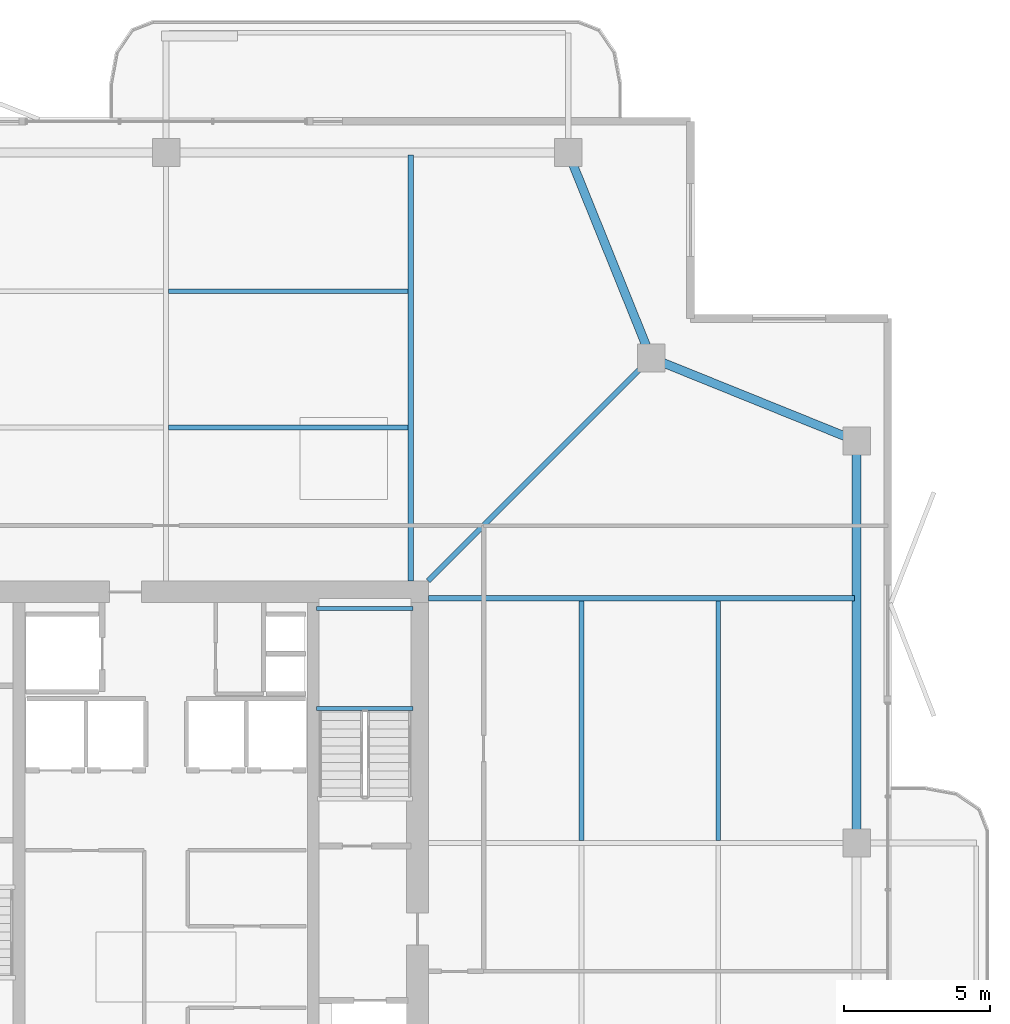
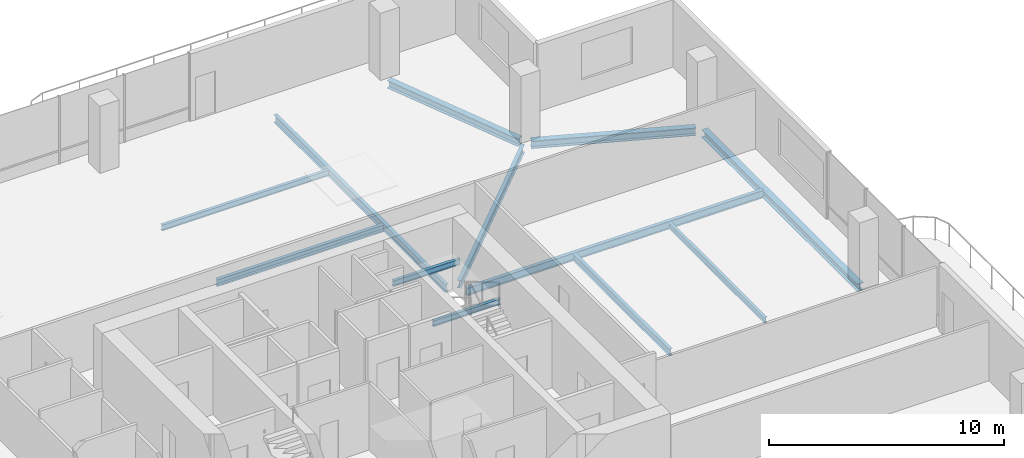
# One storey, part 14 of 23: 12 beams.
"""IFC4 building model written with IfcOpenShell, lengths in metres."""

from ifc_helpers import new_model, si_unit, direction, frame, origin, origin_2d, place, context, subcontext, project, spatial, i_section, extrude, material, material_profile, profile_set, type_object, element, save


model = new_model("IFC4")

# Units and contexts
model_context = context("Model", 3, precision=1e-05, world=origin(), true_north=direction((0.0, 1.0)))
body_context = subcontext(model_context, "Body", "Model", "MODEL_VIEW")
ifc_project = project(units=[si_unit("LENGTHUNIT", "METRE"), si_unit("AREAUNIT", "SQUARE_METRE"), si_unit("VOLUMEUNIT", "CUBIC_METRE"), si_unit("PLANEANGLEUNIT", "RADIAN"), si_unit("MASSUNIT", "GRAM", prefix="KILO")], contexts=[model_context])

# Site, building, storey
site_placement = place(None, origin())
site = spatial("IfcSite", under=ifc_project, at=site_placement, CompositionType="ELEMENT")
building_placement = place(site_placement, origin())
building = spatial("IfcBuilding", under=site, at=building_placement, Name="Belovzor Exchange Tower", CompositionType="ELEMENT")
storey_placement = place(building_placement, frame((0.0, 0.0, 276.60009765625)))
storey = spatial("IfcBuildingStorey", under=building, at=storey_placement, Name="L69", CompositionType="ELEMENT", Elevation=276.60009765625)

# Beams
ifc_material_1 = material(Name="Steel S355", Category="steel")
ifc_material_profile_1 = material_profile(ifc_material_1, i_section(OverallWidth=0.169921875, OverallDepth=0.360107421875, WebThickness=0.008056640625, FlangeThickness=0.0126953125, at=origin_2d()))
ifc_profile_set_1 = profile_set([ifc_material_profile_1], Name="Steel S355")
beam_type_1 = type_object("IfcBeamType", Name="Secondary Infill Floor Joist IPE 360", PredefinedType="BEAM", material=ifc_profile_set_1)
for number, where, z_axis, x_axis, name in (
    (1, (28.889892578125, 43.06494140625, -0.43017578125), (1.0, 0.0, 0.0), (0.0, 1.0, 0.0), "FJ-360 Secondary Infill Floor Joist IPE 360"),
    (2, (43.06494140625, 28.889892578125, -0.43017578125), (0.0, 1.0, 0.0), (-1.0, 0.0, 0.0), "FJ-360 Secondary Infill Floor Joist IPE 360"),
):
    element("IfcBeam", number, at=place(storey_placement, frame(where, z_axis=z_axis, x_axis=x_axis)), inside=storey, type_object=beam_type_1, Name=name, PredefinedType="BEAM", context=body_context, shape_type="SweptSolid", body=[
        extrude(i_section(OverallWidth=0.169921875, OverallDepth=0.360107421875, WebThickness=0.008056640625, FlangeThickness=0.0126953125, at=origin_2d()), origin(), (0.0, 0.0, 1.0), 8.22021484375),
    ])
ifc_material_2 = material(Name="Steel S355", Category="steel")
ifc_material_profile_2 = material_profile(ifc_material_2, i_section(OverallWidth=0.14990234375, OverallDepth=0.300048828125, WebThickness=0.007080078125, FlangeThickness=0.0107421875, at=origin_2d()))
ifc_profile_set_2 = profile_set([ifc_material_profile_2], Name="Steel S355")
beam_type_2 = type_object("IfcBeamType", Name="Secondary Trim Floor Joist IPE 300", PredefinedType="BEAM", material=ifc_profile_set_2)
for number, where, z_axis, x_axis, name in (
    (3, (37.280029296875, 33.419921875, 1.52490234375), (-1.0, 0.0, 0.0), (0.0, -1.0, 0.0), "FJ-300 Secondary Trim Floor Joist IPE 300"),
    (4, (37.280029296875, 36.85009765625, 1.52490234375), (-1.0, 0.0, 0.0), (0.0, -1.0, 0.0), "FJ-300 Secondary Trim Floor Joist IPE 300"),
):
    element("IfcBeam", number, at=place(storey_placement, frame(where, z_axis=z_axis, x_axis=x_axis)), inside=storey, type_object=beam_type_2, Name=name, PredefinedType="BEAM", context=body_context, shape_type="SweptSolid", body=[
        extrude(i_section(OverallWidth=0.14990234375, OverallDepth=0.300048828125, WebThickness=0.007080078125, FlangeThickness=0.0107421875, at=origin_2d()), origin(), (0.0, 0.0, 1.0), 3.31005859375),
    ])
for number, where, z_axis, x_axis, name in (
    (5, (28.889892578125, 47.7451171875, -0.400146484375), (1.0, 0.0, 0.0), (0.0, 1.0, 0.0), "FJ-300 Secondary Trim Floor Joist IPE 300"),
    (6, (47.7451171875, 28.889892578125, -0.400146484375), (0.0, 1.0, 0.0), (-1.0, 0.0, 0.0), "FJ-300 Secondary Trim Floor Joist IPE 300"),
):
    element("IfcBeam", number, at=place(storey_placement, frame(where, z_axis=z_axis, x_axis=x_axis)), inside=storey, type_object=beam_type_2, Name=name, PredefinedType="BEAM", context=body_context, shape_type="SweptSolid", body=[
        extrude(i_section(OverallWidth=0.14990234375, OverallDepth=0.300048828125, WebThickness=0.007080078125, FlangeThickness=0.0107421875, at=origin_2d()), origin(), (0.0, 0.0, 1.0), 8.22021484375),
    ])
ifc_material_3 = material(Name="Steel S355", Category="steel")
ifc_material_profile_3 = material_profile(ifc_material_3, i_section(OverallWidth=0.300048828125, OverallDepth=0.39990234375, WebThickness=0.013427734375, FlangeThickness=0.02392578125, at=origin_2d()))
ifc_profile_set_3 = profile_set([ifc_material_profile_3], Name="Steel S355")
beam_type_3 = type_object("IfcBeamType", Name="Zone 5 Primary Girder HEB 400", PredefinedType="BEAM", material=ifc_profile_set_3)
beam_1_placement = place(storey_placement, frame((52.5, 29.06103515625, -0.4501953125), z_axis=(0.0, 1.0, 0.0), x_axis=(-1.0, 0.0, 0.0)))
element("IfcBeam", 7, at=beam_1_placement, inside=storey, type_object=beam_type_3, Name="FG-Z5 Zone 5 Primary Girder HEB 400", PredefinedType="BEAM", context=body_context, shape_type="SweptSolid", body=[
    extrude(i_section(OverallWidth=0.300048828125, OverallDepth=0.39990234375, WebThickness=0.013427734375, FlangeThickness=0.02392578125, at=origin_2d()), origin(), (0.0, 0.0, 1.0), 13.278076171875),
])
for number, where, z_axis, x_axis, name in (
    (8, (52.258056640625, 42.697998046875, -0.4501953125), (-0.927127394661, 0.374746306278, 0.0), (-0.374746306278, -0.927127394661, 0.0), "FG-Z5 Zone 5 Primary Girder HEB 400"),
    (9, (45.35205078125, 45.69189453125, -0.4501953125), (-0.374746306278, 0.927127394661, 0.0), (-0.927127394661, -0.374746306278, 0.0), "FG-Z5 Zone 5 Primary Girder HEB 400"),
):
    element("IfcBeam", number, at=place(storey_placement, frame(where, z_axis=z_axis, x_axis=x_axis)), inside=storey, type_object=beam_type_3, Name=name, PredefinedType="BEAM", context=body_context, shape_type="SweptSolid", body=[
        extrude(i_section(OverallWidth=0.300048828125, OverallDepth=0.39990234375, WebThickness=0.013427734375, FlangeThickness=0.02392578125, at=origin_2d()), origin(), (0.0, 0.0, 1.0), 7.082275390625),
    ])
ifc_material_4 = material(Name="Steel S355", Category="steel")
ifc_material_profile_4 = material_profile(ifc_material_4, i_section(OverallWidth=0.179931640625, OverallDepth=0.39990234375, WebThickness=0.008544921875, FlangeThickness=0.013427734375, at=origin_2d()))
ifc_profile_set_4 = profile_set([ifc_material_profile_4], Name="Steel S355")
beam_type_4 = type_object("IfcBeamType", Name="Zone 5-6 Radial Composite Floor Beam IPE 400", PredefinedType="BEAM", material=ifc_profile_set_4)
for number, where, z_axis, x_axis, name in (
    (10, (37.199951171875, 37.800048828125, -0.4501953125), (0.0, 1.0, 0.0), (-1.0, 0.0, 0.0), "FB-400 Zone 5-6 Radial Composite Floor Beam IPE 400"),
    (11, (37.800048828125, 37.199951171875, -0.4501953125), (1.0, 0.0, 0.0), (0.0, 1.0, 0.0), "FB-400 Zone 5-6 Radial Composite Floor Beam IPE 400"),
):
    element("IfcBeam", number, at=place(storey_placement, frame(where, z_axis=z_axis, x_axis=x_axis)), inside=storey, type_object=beam_type_4, Name=name, PredefinedType="BEAM", context=body_context, shape_type="SweptSolid", body=[
        extrude(i_section(OverallWidth=0.179931640625, OverallDepth=0.39990234375, WebThickness=0.008544921875, FlangeThickness=0.013427734375, at=origin_2d()), origin(), (0.0, 0.0, 1.0), 14.625),
    ])
beam_2_placement = place(storey_placement, frame((37.800048828125, 37.800048828125, -0.4501953125), z_axis=(0.707106781187, 0.707106781187, 0.0), x_axis=(-0.707106781187, 0.707106781187, 0.0)))
element("IfcBeam", 12, at=beam_2_placement, inside=storey, type_object=beam_type_4, Name="FB-400 Zone 5-6 Radial Composite Floor Beam IPE 400", PredefinedType="BEAM", context=body_context, shape_type="SweptSolid", body=[
    extrude(i_section(OverallWidth=0.179931640625, OverallDepth=0.39990234375, WebThickness=0.008544921875, FlangeThickness=0.013427734375, at=origin_2d()), origin(), (0.0, 0.0, 1.0), 10.4833984375),
])

save(model, "model.ifc")
